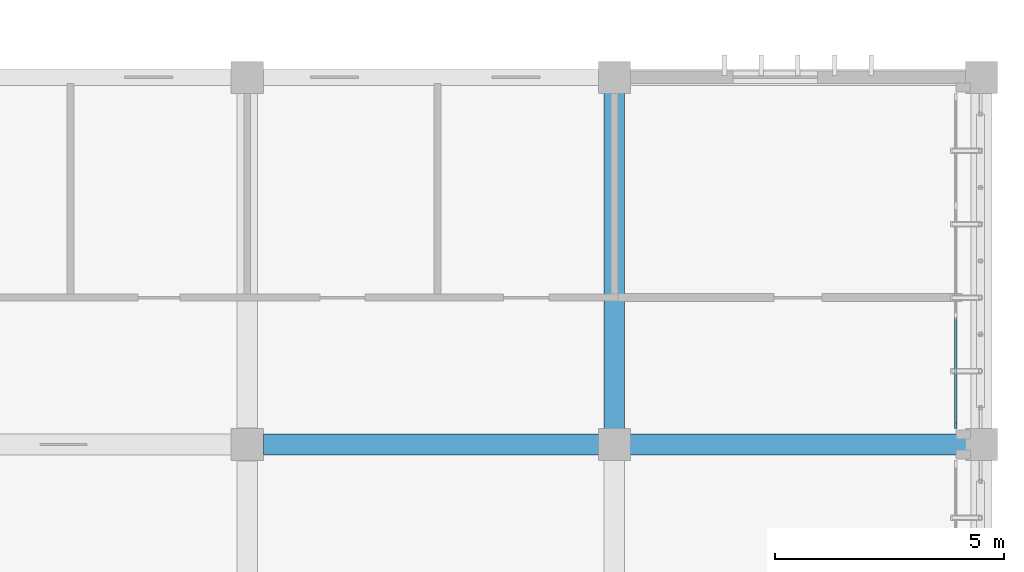
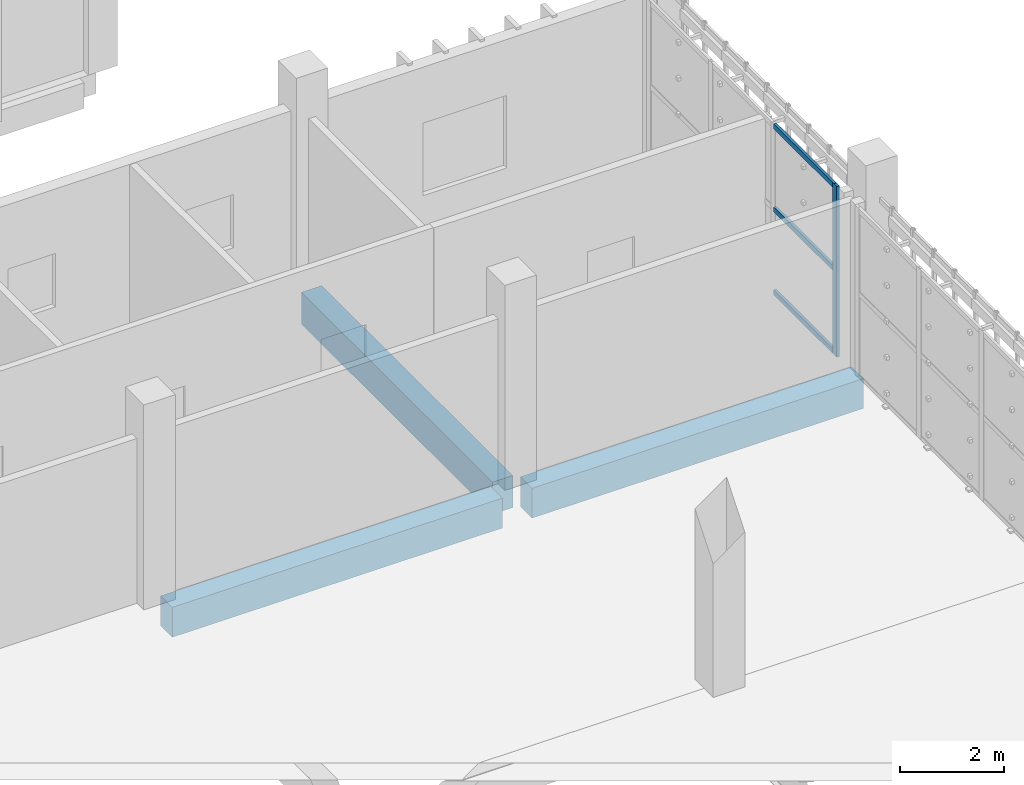
# One storey, part 58 of 106: 4 members, 3 beams, 1 element without a shape of its own.
"""IFC4 building model written with IfcOpenShell, lengths in metres."""

from ifc_helpers import new_model, si_unit, direction, frame, origin, origin_2d, place, context, subcontext, project, spatial, rectangle, extrude, material, layer, layer_set, material_profile, profile_set, type_object, element, aggregate, save


model = new_model("IFC4")

# Units and contexts
model_context = context("Model", 3, precision=1e-05, world=origin(), true_north=direction((0.0, 1.0)))
body_context = subcontext(model_context, "Body", "Model", "MODEL_VIEW")
ifc_project = project(units=[si_unit("LENGTHUNIT", "METRE"), si_unit("AREAUNIT", "SQUARE_METRE"), si_unit("VOLUMEUNIT", "CUBIC_METRE"), si_unit("PLANEANGLEUNIT", "RADIAN"), si_unit("MASSUNIT", "GRAM", prefix="KILO")], contexts=[model_context])

# Site, building, storey
site_placement = place(None, origin())
site = spatial("IfcSite", under=ifc_project, at=site_placement, CompositionType="ELEMENT")
building_placement = place(site_placement, origin())
building = spatial("IfcBuilding", under=site, at=building_placement, Name="Jelvoka-Kovrelna Polytechnic", CompositionType="ELEMENT")
storey_placement = place(building_placement, frame((0.0, 0.0, 4.800048828125)))
storey = spatial("IfcBuildingStorey", under=building, at=storey_placement, Name="L02", CompositionType="ELEMENT", Elevation=4.800048828125)

# Beams
ifc_material_1 = material(Name="Concrete C40/50", Category="concrete")
ifc_material_profile_1 = material_profile(ifc_material_1, rectangle(XDim=0.449951171875, YDim=0.699951171875, at=origin_2d()), Name="RC 450x700")
ifc_profile_set_1 = profile_set([ifc_material_profile_1], Name="Concrete C40/50")
beam_type_1 = type_object("IfcBeamType", Name="Beam_RC_450x700", PredefinedType="BEAM", material=ifc_profile_set_1)
beam_1_placement = place(storey_placement, frame((184.35498046875, 40.0, -0.614990234375), z_axis=(1.0, 0.0, 0.0), x_axis=(0.0, 1.0, 0.0)))
element("IfcBeam", 1, at=beam_1_placement, inside=storey, type_object=beam_type_1, Name="L02 beam 0724", PredefinedType="BEAM", context=body_context, shape_type="SweptSolid", body=[
    extrude(rectangle(XDim=0.449951171875, YDim=0.699951171875, at=origin_2d()), origin(), (0.0, 0.0, 1.0), 7.31494140625),
])
beam_2_placement = place(storey_placement, frame((192.330078125, 40.0, -0.614990234375), z_axis=(1.0, 0.0, 0.0), x_axis=(0.0, 1.0, 0.0)))
element("IfcBeam", 2, at=beam_2_placement, inside=storey, type_object=beam_type_1, Name="L02 beam 0725", PredefinedType="BEAM", context=body_context, shape_type="SweptSolid", body=[
    extrude(rectangle(XDim=0.449951171875, YDim=0.699951171875, at=origin_2d()), origin(), (0.0, 0.0, 1.0), 7.33984375),
])
ifc_material_2 = material(Name="Concrete C40/50", Category="concrete")
ifc_material_profile_2 = material_profile(ifc_material_2, rectangle(XDim=0.449951171875, YDim=0.75, at=origin_2d()), Name="RC 450x750")
ifc_profile_set_2 = profile_set([ifc_material_profile_2], Name="Concrete C40/50")
beam_type_2 = type_object("IfcBeamType", Name="Beam_RC_450x750", PredefinedType="BEAM", material=ifc_profile_set_2)
beam_3_placement = place(storey_placement, frame((192.0, 40.330078125, -0.64013671875), z_axis=(0.0, 1.0, 0.0), x_axis=(-1.0, 0.0, 0.0)))
element("IfcBeam", 3, at=beam_3_placement, inside=storey, type_object=beam_type_2, Name="L02 beam 0752", PredefinedType="BEAM", context=body_context, shape_type="SweptSolid", body=[
    extrude(rectangle(XDim=0.449951171875, YDim=0.75, at=origin_2d()), origin(), (0.0, 0.0, 1.0), 7.33984375),
])

# Curtain wall, members
ifc_material_3 = material(Name="Anodised aluminium 6063-T6", Category="aluminium")
ifc_layer = layer(ifc_material_3, 0.159912109375)
ifc_layer_set = layer_set([ifc_layer], Name="Anodised aluminium 6063-T6")
curtain_wall_type = type_object("IfcCurtainWallType", Name="CW_Recessed_A", PredefinedType="NOTDEFINED", material=ifc_layer_set)
curtain_wall_placement = place(storey_placement, origin())
curtain_wall = element("IfcCurtainWall", 4, at=curtain_wall_placement, inside=storey, type_object=curtain_wall_type, Name="L02 glazed curtain wall 053", PredefinedType="NOTDEFINED")
ifc_material_4 = material(Name="Anodised aluminium 6063-T6", Category="aluminium")
ifc_material_profile_3 = material_profile(ifc_material_4, rectangle(XDim=0.06005859375, YDim=0.159912109375, at=origin_2d()), Name="ALU 60x160")
ifc_profile_set_3 = profile_set([ifc_material_profile_3], Name="Anodised aluminium 6063-T6")
member_type_1 = type_object("IfcMemberType", Name="Mullion_M-01", PredefinedType="MULLION", material=ifc_profile_set_3)
member_1_placement = place(storey_placement, frame((199.43994140625, 40.429931640625, -0.02490234375), z_axis=(0.0, 0.0, 1.0), x_axis=(1.0, 0.0, 0.0)))
member_1 = element("IfcMember", 5, at=member_1_placement, type_object=member_type_1, Name="CW-01 mullion 4", PredefinedType="MULLION", context=body_context, shape_type="SweptSolid", body=[
    extrude(rectangle(XDim=0.06005859375, YDim=0.159912109375, at=origin_2d()), origin(), (0.0, 0.0, 1.0), 4.0),
])
ifc_material_5 = material(Name="Anodised aluminium 6063-T6", Category="aluminium")
ifc_material_profile_4 = material_profile(ifc_material_5, rectangle(XDim=0.06005859375, YDim=0.1201171875, at=origin_2d()), Name="ALU 60x120")
ifc_profile_set_4 = profile_set([ifc_material_profile_4], Name="Anodised aluminium 6063-T6")
member_type_2 = type_object("IfcMemberType", Name="Transom_T-01", PredefinedType="USERDEFINED", material=ifc_profile_set_4)
member_2_placement = place(storey_placement, frame((199.43994140625, 42.77001953125, 0.030029296875), z_axis=(0.0, -1.0, 0.0), x_axis=(1.0, 0.0, 0.0)))
member_2 = element("IfcMember", 6, at=member_2_placement, type_object=member_type_2, Name="CW-01 transom 3.1", ObjectType="TRANSOM", PredefinedType="USERDEFINED", context=body_context, shape_type="SweptSolid", body=[
    extrude(rectangle(XDim=0.06005859375, YDim=0.1201171875, at=origin_2d()), origin(), (0.0, 0.0, 1.0), 2.31005859375),
])
member_3_placement = place(storey_placement, frame((199.43994140625, 42.77001953125, 1.974853515625), z_axis=(0.0, -1.0, 0.0), x_axis=(1.0, 0.0, 0.0)))
member_3 = element("IfcMember", 7, at=member_3_placement, type_object=member_type_2, Name="CW-01 transom 3.2", ObjectType="TRANSOM", PredefinedType="USERDEFINED", context=body_context, shape_type="SweptSolid", body=[
    extrude(rectangle(XDim=0.06005859375, YDim=0.1201171875, at=origin_2d()), origin(), (0.0, 0.0, 1.0), 2.31005859375),
])
member_4_placement = place(storey_placement, frame((199.43994140625, 42.77001953125, 3.919921875), z_axis=(0.0, -1.0, 0.0), x_axis=(1.0, 0.0, 0.0)))
member_4 = element("IfcMember", 8, at=member_4_placement, type_object=member_type_2, Name="CW-01 transom 3.3", ObjectType="TRANSOM", PredefinedType="USERDEFINED", context=body_context, shape_type="SweptSolid", body=[
    extrude(rectangle(XDim=0.06005859375, YDim=0.1201171875, at=origin_2d()), origin(), (0.0, 0.0, 1.0), 2.31005859375),
])
aggregate(curtain_wall, [member_1, member_2, member_3, member_4])

save(model, "model.ifc")
